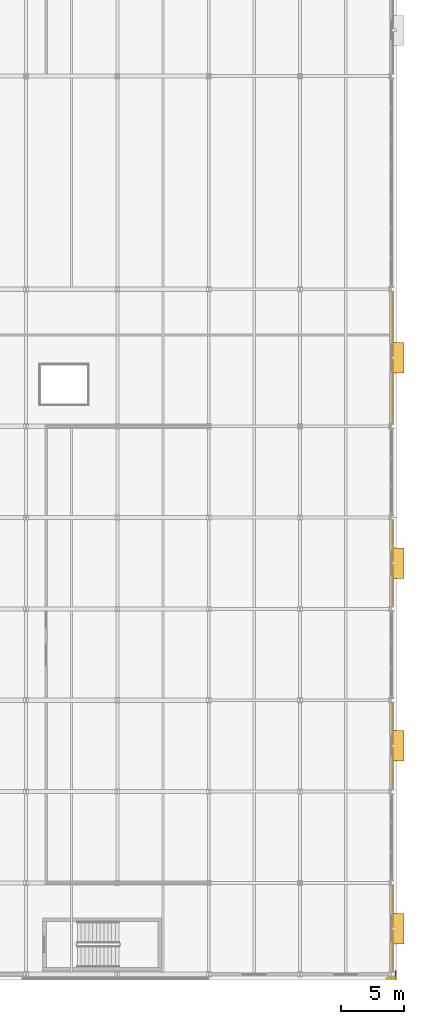
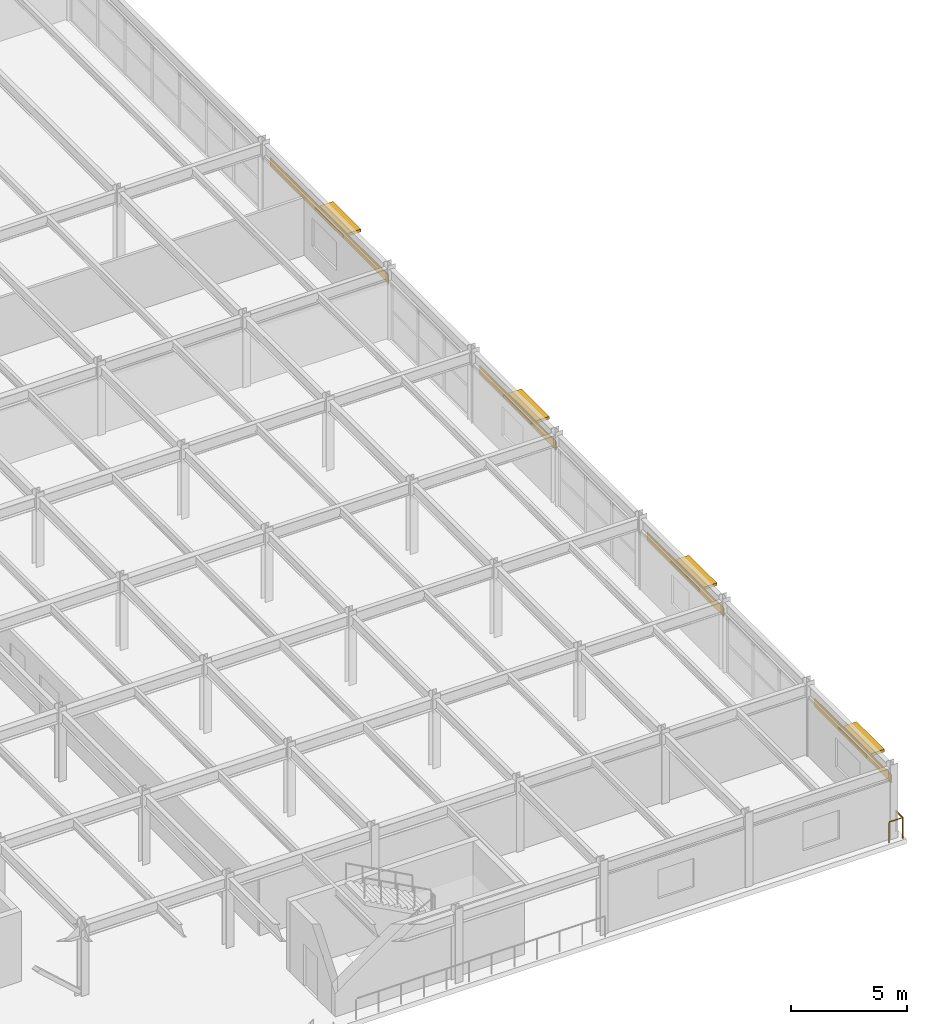
# One storey, part 88 of 93: 4 coverings, 4 shading devices, 2 railings.
"""IFC4 building model written with IfcOpenShell, lengths in metres."""

from ifc_helpers import new_model, si_unit, direction, frame, origin, origin_2d, place, context, subcontext, project, spatial, rectangle, circle, extrude, material, layer, layer_set, type_object, element, save


model = new_model("IFC4")

# Units and contexts
model_context = context("Model", 3, precision=1e-05, world=origin(), true_north=direction((0.0, 1.0)))
body_context = subcontext(model_context, "Body", "Model", "MODEL_VIEW")
ifc_project = project(units=[si_unit("LENGTHUNIT", "METRE"), si_unit("AREAUNIT", "SQUARE_METRE"), si_unit("VOLUMEUNIT", "CUBIC_METRE"), si_unit("PLANEANGLEUNIT", "RADIAN"), si_unit("MASSUNIT", "GRAM", prefix="KILO")], contexts=[model_context])

# Site, building, storey
site_placement = place(None, origin())
site = spatial("IfcSite", under=ifc_project, at=site_placement, CompositionType="ELEMENT")
building_placement = place(site_placement, origin())
building = spatial("IfcBuilding", under=site, at=building_placement, Name="Vaelcorin Mobility Hub", CompositionType="ELEMENT")
storey_placement = place(building_placement, frame((0.0, 0.0, 5.39990234375)))
storey = spatial("IfcBuildingStorey", under=building, at=storey_placement, Name="L01", CompositionType="ELEMENT", Elevation=5.39990234375)

# Coverings
ifc_material_1 = material(Name="Extruded terracotta-bronze rainscreen panel", Category="masonry")
ifc_layer_1 = layer(ifc_material_1, 0.034912109375)
ifc_layer_set_1 = layer_set([ifc_layer_1], Name="Extruded terracotta-bronze rainscreen panel")
covering_type = type_object("IfcCoveringType", Name="COV-CLAD-35", PredefinedType="CLADDING", material=ifc_layer_set_1)
for number, where, z_axis, x_axis, name in (
    (1, (204.139892578125, 9.60009765625, 2.568359375), (0.0, 0.0, 1.0), (1.0, 0.0, 0.0), "Terracotta-Bronze Facade Cladding L01-01"),
    (2, (204.139892578125, 24.0, 2.568359375), (0.0, 0.0, 1.0), (1.0, 0.0, 0.0), "Terracotta-Bronze Facade Cladding L01-03"),
    (3, (204.139892578125, 38.39990234375, 2.568359375), (0.0, 0.0, 1.0), (1.0, 0.0, 0.0), "Terracotta-Bronze Facade Cladding L01-05"),
):
    element("IfcCovering", number, at=place(storey_placement, frame(where, z_axis=z_axis, x_axis=x_axis)), inside=storey, type_object=covering_type, Name=name, PredefinedType="CLADDING", context=body_context, shape_type="SweptSolid", body=[
        extrude(rectangle(XDim=0.028076171875, YDim=6.60009765625, at=origin_2d()), origin(), (0.0, 0.0, 1.0), 0.449951171875),
    ])
covering_placement = place(storey_placement, frame((204.139892578125, 54.60009765625, 2.568359375), z_axis=(0.0, 0.0, 1.0), x_axis=(1.0, 0.0, 0.0)))
element("IfcCovering", 4, at=covering_placement, inside=storey, type_object=covering_type, Name="Terracotta-Bronze Facade Cladding L01-07", PredefinedType="CLADDING", context=body_context, shape_type="SweptSolid", body=[
    extrude(rectangle(XDim=0.028076171875, YDim=10.199951171875, at=origin_2d()), origin(), (0.0, 0.0, 1.0), 0.449951171875),
])

# Railings
ifc_material_2 = material(Name="Galvanised structural steel ASTM A36", Category="steel")
ifc_layer_2 = layer(ifc_material_2, 0.070068359375)
ifc_layer_set_2 = layer_set([ifc_layer_2], Name="Galvanised structural steel ASTM A36")
railing_type = type_object("IfcRailingType", Name="RL-GUARD-1100", PredefinedType="BALUSTRADE", material=ifc_layer_set_2)
railing_1_placement = place(storey_placement, frame((203.64990234375, 5.669921875, 0.0)))
element("IfcRailing", 5, at=railing_1_placement, inside=storey, type_object=railing_type, Name="L01 Perimeter Guard GR-V5-L01-SE-CNR-01", PredefinedType="BALUSTRADE", context=body_context, shape_type="SweptSolid", body=[
    extrude(circle(Radius=0.02392578125, at=origin_2d()), frame((0.0, 0.0, 1.076171875), z_axis=(1.0, 0.0, 0.0), x_axis=(0.0, 1.0, 0.0)), (0.0, 0.0, 1.0), 0.68017578125),
    extrude(circle(Radius=0.02099609375, at=origin_2d()), origin(), (0.0, 0.0, 1.0), 1.052001953125),
    extrude(circle(Radius=0.02099609375, at=origin_2d()), frame((0.68017578125, 0.0, 0.0)), (0.0, 0.0, 1.0), 1.052001953125),
])
railing_2_placement = place(storey_placement, frame((204.330078125, 5.669921875, 0.0)))
element("IfcRailing", 6, at=railing_2_placement, inside=storey, type_object=railing_type, Name="L01 Perimeter Guard GR-V5-L01-SE-CNR-02", PredefinedType="BALUSTRADE", context=body_context, shape_type="SweptSolid", body=[
    extrude(circle(Radius=0.02392578125, at=origin_2d()), frame((0.0, 0.0, 1.076171875), z_axis=(0.0, 1.0, 0.0), x_axis=(-1.0, 0.0, 0.0)), (0.0, 0.0, 1.0), 0.580078125),
    extrude(circle(Radius=0.02099609375, at=origin_2d()), origin(), (0.0, 0.0, 1.0), 1.052001953125),
    extrude(circle(Radius=0.02099609375, at=origin_2d()), frame((0.0, 0.580078125, 0.0)), (0.0, 0.0, 1.0), 1.052001953125),
])

# Shading devices
ifc_material_3 = material(Name="Perforated terracotta-bronze aluminium aerofoil", Category="masonry")
shading_device_type_1 = type_object("IfcShadingDeviceType", Name="SHD-JAL-1", PredefinedType="JALOUSIE", material=ifc_material_3)
for number, where, z_axis, x_axis, name in (
    (7, (204.550048828125, 9.60009765625, 2.623046875), (0.0, 0.0, 1.0), (1.0, 0.0, 0.0), "Jalousie Sun-Hood L01-01"),
    (8, (204.550048828125, 38.39990234375, 2.623046875), (0.0, 0.0, 1.0), (1.0, 0.0, 0.0), "Jalousie Sun-Hood L01-05"),
):
    element("IfcShadingDevice", number, at=place(storey_placement, frame(where, z_axis=z_axis, x_axis=x_axis)), inside=storey, type_object=shading_device_type_1, Name=name, PredefinedType="JALOUSIE", context=body_context, shape_type="SweptSolid", body=[
        extrude(rectangle(XDim=0.89990234375, YDim=2.39990234375, at=origin_2d()), origin(), (0.0, 0.0, 1.0), 0.139892578125),
    ])
shading_device_type_2 = type_object("IfcShadingDeviceType", Name="SHD-JAL-2", PredefinedType="JALOUSIE", material=ifc_material_3)
for number, where, z_axis, x_axis, name in (
    (9, (204.550048828125, 24.0, 2.623046875), (0.0, 0.0, 1.0), (1.0, 0.0, 0.0), "Jalousie Sun-Hood L01-03"),
    (10, (204.550048828125, 54.60009765625, 2.623046875), (0.0, 0.0, 1.0), (1.0, 0.0, 0.0), "Jalousie Sun-Hood L01-07"),
):
    element("IfcShadingDevice", number, at=place(storey_placement, frame(where, z_axis=z_axis, x_axis=x_axis)), inside=storey, type_object=shading_device_type_2, Name=name, PredefinedType="JALOUSIE", context=body_context, shape_type="SweptSolid", body=[
        extrude(rectangle(XDim=0.89990234375, YDim=2.39990234375, at=origin_2d()), origin(), (0.0, 0.0, 1.0), 0.139892578125),
    ])

save(model, "model.ifc")
